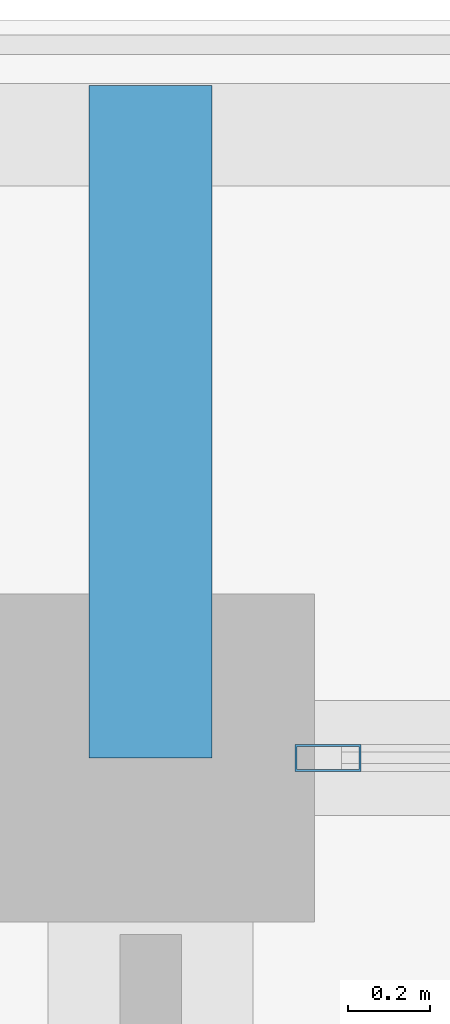
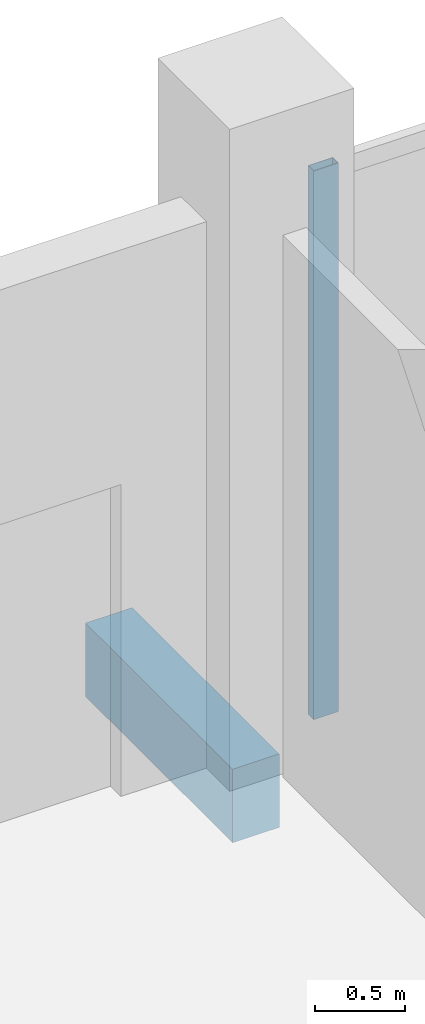
# One storey, part 31 of 110: 1 beam, 1 member, 1 element without a shape of its own.
"""IFC4 building model written with IfcOpenShell, lengths in metres."""

import ifcopenshell
import ifcopenshell.guid

model = None  # the IFC model being written
_history = None  # IfcOwnerHistory: only IFC2X3 demands one
_inside = {}  # id of a spatial element -> (the spatial element, [elements in it])
_under = {}  # id of a project, library or spatial element -> (it, [spatial elements below it])
_declared = {}  # id of a project -> (the project, [libraries it declares])
_typed = {}  # id of a type object -> (the type object, [elements of that type])
_made_of = {}  # id of a material, layer set ... -> (it, [elements and type objects made of it])


def new_model(schema):
    """Start an empty IFC model of exactly this schema.

    Asked for "IFC4X3", IfcOpenShell would pick the latest addendum, in which some entities
    have other attributes; the version numbers below select the first issue.
    IFC2X3 requires an IfcOwnerHistory on every rooted entity: one is made here for all.
    """
    global model, _history
    if schema == "IFC4X3":
        model = ifcopenshell.file(schema_version=(4, 3, 0, 0))
    else:
        model = ifcopenshell.file(schema=schema)
    _inside.clear()
    _under.clear()
    _declared.clear()
    _typed.clear()
    _made_of.clear()
    _history = None
    if model.schema == "IFC2X3":
        org = make("IfcOrganization", Name="unknown")
        user = make(
            "IfcPersonAndOrganization",
            ThePerson=make("IfcPerson", FamilyName="unknown"),
            TheOrganization=org,
        )
        app = make(
            "IfcApplication",
            ApplicationDeveloper=org,
            Version="unknown",
            ApplicationFullName="unknown",
            ApplicationIdentifier="unknown",
        )
        _history = make(
            "IfcOwnerHistory",
            OwningUser=user,
            OwningApplication=app,
            ChangeAction="ADDED",
            CreationDate=0,
        )
    return model


def make(cls, **values):
    """One entity of the class cls with the attributes given. An attribute that is None is left unset."""
    return model.create_entity(
        cls, **{name: value for name, value in values.items() if value is not None}
    )


def rooted(cls, **values):
    """An entity with a GlobalId (a new one), such as an element, a storey or a relation."""
    return make(cls, GlobalId=ifcopenshell.guid.new(), OwnerHistory=_history, **values)


def si_unit(unit_type, name, prefix=None):
    """IfcSIUnit, for example si_unit("LENGTHUNIT", "METRE", prefix="MILLI")."""
    return make("IfcSIUnit", UnitType=unit_type, Prefix=prefix, Name=name)


def assignment(units):
    """IfcUnitAssignment: the units of a project."""
    return None if units is None else make("IfcUnitAssignment", Units=units)


def point(xyz):
    """IfcCartesianPoint."""
    return None if xyz is None else make("IfcCartesianPoint", Coordinates=xyz)


def direction(xyz):
    """IfcDirection."""
    return None if xyz is None else make("IfcDirection", DirectionRatios=xyz)


def frame(location, z_axis=None, x_axis=None):
    """IfcAxis2Placement3D, a coordinate frame: its origin and axes. An axis left out is left unset."""
    return make(
        "IfcAxis2Placement3D",
        Location=point(location),
        Axis=direction(z_axis),
        RefDirection=direction(x_axis),
    )


def frame_2d(location, x_axis=None):
    """IfcAxis2Placement2D, a coordinate frame in the plane: its origin and x axis."""
    return make(
        "IfcAxis2Placement2D", Location=point(location), RefDirection=direction(x_axis)
    )


def origin():
    """The frame at (0, 0, 0) with its axes left unset."""
    return frame((0.0, 0.0, 0.0))


def origin_2d():
    """The frame at (0, 0) in the plane with its x axis left unset."""
    return frame_2d((0.0, 0.0))


def place(relative_to, where):
    """IfcLocalPlacement: puts the frame where relative to a parent placement (None: the world)."""
    return make(
        "IfcLocalPlacement", PlacementRelTo=relative_to, RelativePlacement=where
    )


def context(
    kind, dimensions, precision=None, world=None, true_north=None, identifier=None
):
    """IfcGeometricRepresentationContext, for example the 3D "Model" context."""
    return make(
        "IfcGeometricRepresentationContext",
        ContextIdentifier=identifier,
        ContextType=kind,
        CoordinateSpaceDimension=dimensions,
        Precision=precision,
        WorldCoordinateSystem=world,
        TrueNorth=true_north,
    )


def subcontext(parent, identifier, kind, view, scale=None):
    """IfcGeometricRepresentationSubContext, for example "Body" below "Model"."""
    return make(
        "IfcGeometricRepresentationSubContext",
        ContextIdentifier=identifier,
        ContextType=kind,
        ParentContext=parent,
        TargetScale=scale,
        TargetView=view,
    )


def project(units=None, contexts=None):
    """IfcProject with its units and contexts."""
    return rooted(
        "IfcProject",
        Name="project",
        RepresentationContexts=contexts,
        UnitsInContext=assignment(units),
    )


def spatial(cls, under=None, at=None, **own):
    """A site, building, storey or space (cls), placed at a placement, below another one or the project."""
    s = rooted(cls, ObjectPlacement=at, **own)
    if under is not None:
        _under.setdefault(under.id(), (under, []))[1].append(s)
    return s


def profile(cls, at=None, kind="AREA", **sizes):
    """A parametric profile (cls). Its sizes go by their IFC names, for example OverallWidth=200.0."""
    return make(cls, ProfileType=kind, Position=at, **sizes)


def rectangle(**sizes):
    """IfcRectangleProfileDef."""
    return profile("IfcRectangleProfileDef", **sizes)


def hollow_rectangle(**sizes):
    """IfcRectangleHollowProfileDef."""
    return profile("IfcRectangleHollowProfileDef", **sizes)


def extrude(swept, where, along, depth):
    """IfcExtrudedAreaSolid: the profile swept, set in the frame where, extruded along a direction by depth."""
    return make(
        "IfcExtrudedAreaSolid",
        SweptArea=swept,
        Position=where,
        ExtrudedDirection=direction(along),
        Depth=depth,
    )


def shape(context_of_items, identifier, shape_type, items):
    """IfcShapeRepresentation: the items that make up one representation, for example the "Body"."""
    return make(
        "IfcShapeRepresentation",
        ContextOfItems=context_of_items,
        RepresentationIdentifier=identifier,
        RepresentationType=shape_type,
        Items=items,
    )


def material(Name=None, Category=None):
    """IfcMaterial."""
    return make("IfcMaterial", Name=Name, Category=Category)


def material_profile(
    of_material, cross_section, Name=None, Category=None, Priority=None
):
    """IfcMaterialProfile: a cross section and its material."""
    return make(
        "IfcMaterialProfile",
        Name=Name,
        Material=of_material,
        Profile=cross_section,
        Priority=Priority,
        Category=Category,
    )


def profile_set(profiles, Name=None, composite=None):
    """IfcMaterialProfileSet."""
    return make(
        "IfcMaterialProfileSet",
        Name=Name,
        MaterialProfiles=profiles,
        CompositeProfile=composite,
    )


def made_of(thing, what):
    """Note that an element or type object is made of a material, layer set ...; save() writes the relation."""
    if what is not None:
        _made_of.setdefault(what.id(), (what, []))[1].append(thing)
    return thing


def type_object(cls, material=None, **own):
    """A type object (cls), such as IfcWallType, which elements share."""
    return made_of(rooted(cls, **own), material)


def element(
    cls,
    number,
    at=None,
    inside=None,
    cuts=None,
    type_object=None,
    material=None,
    context=None,
    identifier="Body",
    shape_type=None,
    held_by="IfcProductDefinitionShape",
    body=None,
    shapes=None,
    **own,
):
    """One element of the class cls, such as IfcWall. Its Tag is "e" and its number.

    at: its placement. inside: the storey or other place that contains it. cuts: it is an
    opening in that element (IfcRelVoidsElement). A single representation is given by context,
    identifier, shape_type and body (its items); several are given by shapes. held_by: the class
    of the entity that holds the representations. save() writes the other relations.
    """
    e = rooted(cls, Tag="e%d" % number, ObjectPlacement=at, **own)
    if body is not None:
        shapes = [shape(context, identifier, shape_type, body)]
    if shapes is not None:
        e.Representation = make(held_by, Representations=shapes)
    if inside is not None:
        _inside.setdefault(inside.id(), (inside, []))[1].append(e)
    if cuts is not None:
        rooted(
            "IfcRelVoidsElement", RelatingBuildingElement=cuts, RelatedOpeningElement=e
        )
    if type_object is not None:
        _typed.setdefault(type_object.id(), (type_object, []))[1].append(e)
    return made_of(e, material)


def aggregate(whole, parts):
    """IfcRelAggregates: a whole, such as a stair, and the parts it consists of."""
    return rooted("IfcRelAggregates", RelatingObject=whole, RelatedObjects=parts)


def save(model, path):
    """Write the relations noted so far, then the file.

    IfcRelAggregates (storeys below a building ...), IfcRelContainedInSpatialStructure (elements
    in a storey), IfcRelDefinesByType, IfcRelAssociatesMaterial and IfcRelDeclares: one each for
    every whole, place, type object, material and project.
    """
    for whole, parts in _under.values():
        aggregate(whole, parts)
    for where, things in _inside.values():
        rooted(
            "IfcRelContainedInSpatialStructure",
            RelatedElements=things,
            RelatingStructure=where,
        )
    for kind, things in _typed.values():
        rooted("IfcRelDefinesByType", RelatedObjects=things, RelatingType=kind)
    for what, things in _made_of.values():
        rooted("IfcRelAssociatesMaterial", RelatedObjects=things, RelatingMaterial=what)
    for by, libraries in _declared.values():
        rooted("IfcRelDeclares", RelatingContext=by, RelatedDefinitions=libraries)
    model.write(path)


model = new_model("IFC4")

# Units and contexts
model_context = context("Model", 3, precision=1e-05, world=origin(), true_north=direction((0.0, 1.0)))
body_context = subcontext(model_context, "Body", "Model", "MODEL_VIEW")
ifc_project = project(units=[si_unit("LENGTHUNIT", "METRE"), si_unit("AREAUNIT", "SQUARE_METRE"), si_unit("VOLUMEUNIT", "CUBIC_METRE"), si_unit("PLANEANGLEUNIT", "RADIAN"), si_unit("MASSUNIT", "GRAM", prefix="KILO")], contexts=[model_context])

# Site, building, storey
site_placement = place(None, origin())
site = spatial("IfcSite", under=ifc_project, at=site_placement, CompositionType="ELEMENT")
building_placement = place(site_placement, origin())
building = spatial("IfcBuilding", under=site, at=building_placement, Name="Suanplinth Sawtooth Commons", CompositionType="ELEMENT")
storey_placement = place(building_placement, frame((0.0, 0.0, 4.5)))
storey = spatial("IfcBuildingStorey", under=building, at=storey_placement, Name="L01", CompositionType="ELEMENT", Elevation=4.5)

# Beam
ifc_material_1 = material(Name="Precast concrete C40/50", Category="concrete")
ifc_material_profile_1 = material_profile(ifc_material_1, rectangle(XDim=0.300048828125, YDim=0.5, at=origin_2d()), Name="PC-BM 300x500")
ifc_profile_set_1 = profile_set([ifc_material_profile_1], Name="Precast concrete C40/50")
beam_type = type_object("IfcBeamType", Name="B-07", PredefinedType="BEAM", material=ifc_profile_set_1)
beam_placement = place(storey_placement, frame((57.60009765625, 122.39990234375, -0.429931640625), z_axis=(0.0, 1.0, 0.0), x_axis=(-1.0, 0.0, 0.0)))
element("IfcBeam", 1, at=beam_placement, inside=storey, type_object=beam_type, Name="Balcony Outrigger L01-A-N-8", PredefinedType="BEAM", context=body_context, shape_type="SweptSolid", body=[
    extrude(rectangle(XDim=0.300048828125, YDim=0.5, at=origin_2d()), origin(), (0.0, 0.0, 1.0), 1.64013671875),
])

# Curtain wall, member
ifc_material_2 = material(Name="Anodized aluminium and low-E glazing", Category="aluminium")
curtain_wall_type = type_object("IfcCurtainWallType", Name="CW-06", PredefinedType="USERDEFINED", material=ifc_material_2)
curtain_wall_placement = place(storey_placement, origin())
curtain_wall = element("IfcCurtainWall", 2, at=curtain_wall_placement, inside=storey, type_object=curtain_wall_type, Name="Curtain Wall CW-L01-A-LOUNGE-8", ObjectType="CURTAIN WALL", PredefinedType="USERDEFINED")
ifc_material_3 = material(Name="Anodized aluminium 6063-T6", Category="aluminium")
ifc_material_profile_2 = material_profile(ifc_material_3, hollow_rectangle(XDim=0.06494140625, YDim=0.159912109375, WallThickness=0.00390625, at=origin_2d()), Name="ALU-MUL 65x160")
ifc_profile_set_2 = profile_set([ifc_material_profile_2], Name="Anodized aluminium 6063-T6")
member_type = type_object("IfcMemberType", Name="M-13", PredefinedType="MULLION", material=ifc_profile_set_2)
member_placement = place(storey_placement, frame((58.032470703125, 122.39990234375, 0.0), z_axis=(0.0, 0.0, 1.0), x_axis=(0.0, 1.0, 0.0)))
member = element("IfcMember", 3, at=member_placement, type_object=member_type, Name="CW-06 mullion 1", PredefinedType="MULLION", context=body_context, shape_type="SweptSolid", body=[
    extrude(hollow_rectangle(XDim=0.06494140625, YDim=0.159912109375, WallThickness=0.00390625, at=origin_2d()), origin(), (0.0, 0.0, 1.0), 3.72998046875),
])
aggregate(curtain_wall, [member])

save(model, "model.ifc")
